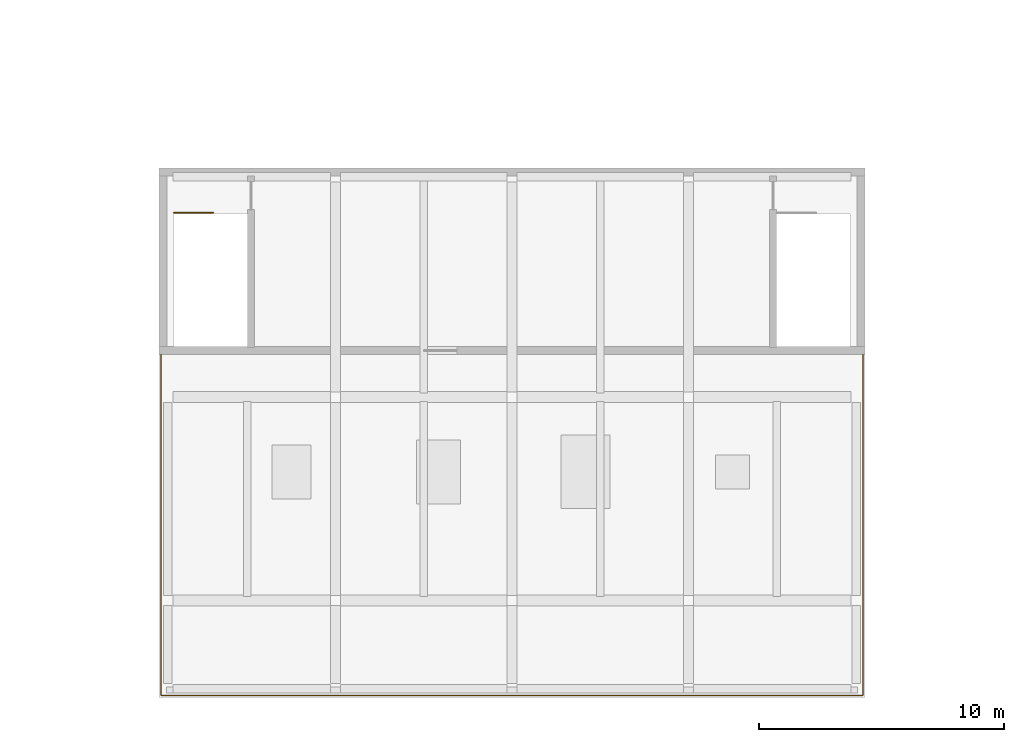
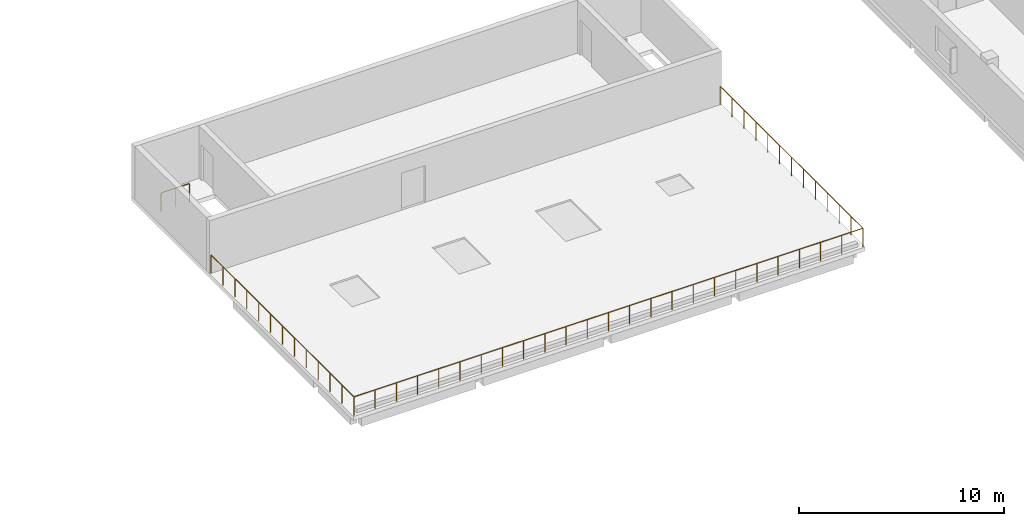
# One storey, part 46 of 56: 2 railings.
"""IFC4 building model written with IfcOpenShell, lengths in metres."""

from ifc_helpers import new_model, si_unit, derived_unit, direction, frame, origin, origin_2d, place, context, subcontext, project, spatial, circle, extrude, material, type_object, element, save


model = new_model("IFC4")

# Units and contexts
model_context = context("Model", 3, precision=1e-05, world=origin(), true_north=direction((0.0, 1.0)))
body_context = subcontext(model_context, "Body", "Model", "MODEL_VIEW")
ifc_project = project(units=[si_unit("LENGTHUNIT", "METRE"), si_unit("AREAUNIT", "SQUARE_METRE"), si_unit("VOLUMEUNIT", "CUBIC_METRE"), si_unit("PLANEANGLEUNIT", "RADIAN"), si_unit("MASSUNIT", "GRAM", prefix="KILO"), derived_unit("THERMALTRANSMITTANCEUNIT", [(si_unit("MASSUNIT", "GRAM", prefix="KILO"), 1), (si_unit("TIMEUNIT", "SECOND"), -3), (si_unit("THERMODYNAMICTEMPERATUREUNIT", "KELVIN"), -1)])], contexts=[model_context])

# Site, building, storey
site_placement = place(None, origin())
site = spatial("IfcSite", under=ifc_project, at=site_placement, CompositionType="ELEMENT")
building_placement = place(site_placement, origin())
building = spatial("IfcBuilding", under=site, at=building_placement, Name="Ochrekiln Boulevard Commons", CompositionType="ELEMENT")
storey_placement = place(building_placement, frame((0.0, 0.0, 12.074951171875)))
storey = spatial("IfcBuildingStorey", under=building, at=storey_placement, Name="L03", CompositionType="ELEMENT", Elevation=12.074951171875)

# Railings
ifc_material_1 = material(Name="Bronze-anodized extruded aluminium 6063-T6", Category="aluminium")
railing_type_1 = type_object("IfcRailingType", Name="RLG-BAL-1120", PredefinedType="BALUSTRADE", material=ifc_material_1)
railing_1_placement = place(storey_placement, frame((108.080078125, 14.0, 0.0)))
element("IfcRailing", 1, at=railing_1_placement, inside=storey, type_object=railing_type_1, Name="East Boulevard Arcade L03 Roof Terrace Perimeter Balustrade", PredefinedType="BALUSTRADE", context=body_context, shape_type="SweptSolid", body=[
    extrude(circle(Radius=0.02392578125, at=origin_2d()), frame((0.0, 0.0, 1.09619140625), z_axis=(0.0, -1.0, 0.0), x_axis=(1.0, 0.0, 0.0)), (0.0, 0.0, 1.0), 13.919921875),
    extrude(circle(Radius=0.02392578125, at=origin_2d()), frame((0.0, -13.919921875, 1.09619140625), z_axis=(1.0, 0.0, 0.0), x_axis=(0.0, 1.0, 0.0)), (0.0, 0.0, 1.0), 28.639892578125),
    extrude(circle(Radius=0.02392578125, at=origin_2d()), frame((28.639892578125, -13.919921875, 1.09619140625), z_axis=(0.0, 1.0, 0.0), x_axis=(-1.0, 0.0, 0.0)), (0.0, 0.0, 1.0), 13.919921875),
    extrude(circle(Radius=0.02099609375, at=origin_2d()), origin(), (0.0, 0.0, 1.0), 1.072021484375),
    extrude(circle(Radius=0.02099609375, at=origin_2d()), frame((0.0, -1.159912109375, 0.0)), (0.0, 0.0, 1.0), 1.072021484375),
    extrude(circle(Radius=0.02099609375, at=origin_2d()), frame((0.0, -2.320068359375, 0.0)), (0.0, 0.0, 1.0), 1.072021484375),
    extrude(circle(Radius=0.02099609375, at=origin_2d()), frame((0.0, -3.47998046875, 0.0)), (0.0, 0.0, 1.0), 1.072021484375),
    extrude(circle(Radius=0.02099609375, at=origin_2d()), frame((0.0, -4.639892578125, 0.0)), (0.0, 0.0, 1.0), 1.072021484375),
    extrude(circle(Radius=0.02099609375, at=origin_2d()), frame((0.0, -5.800048828125, 0.0)), (0.0, 0.0, 1.0), 1.072021484375),
    extrude(circle(Radius=0.02099609375, at=origin_2d()), frame((0.0, -6.9599609375, 0.0)), (0.0, 0.0, 1.0), 1.072021484375),
    extrude(circle(Radius=0.02099609375, at=origin_2d()), frame((0.0, -8.119873046875, 0.0)), (0.0, 0.0, 1.0), 1.072021484375),
    extrude(circle(Radius=0.02099609375, at=origin_2d()), frame((0.0, -9.280029296875, 0.0)), (0.0, 0.0, 1.0), 1.072021484375),
    extrude(circle(Radius=0.02099609375, at=origin_2d()), frame((0.0, -10.43994140625, 0.0)), (0.0, 0.0, 1.0), 1.072021484375),
    extrude(circle(Radius=0.02099609375, at=origin_2d()), frame((0.0, -11.599853515625, 0.0)), (0.0, 0.0, 1.0), 1.072021484375),
    extrude(circle(Radius=0.02099609375, at=origin_2d()), frame((0.0, -12.760009765625, 0.0)), (0.0, 0.0, 1.0), 1.072021484375),
    extrude(circle(Radius=0.02099609375, at=origin_2d()), frame((0.0, -13.919921875, 0.0)), (0.0, 0.0, 1.0), 1.072021484375),
    extrude(circle(Radius=0.02099609375, at=origin_2d()), frame((1.193359375, -13.919921875, 0.0)), (0.0, 0.0, 1.0), 1.072021484375),
    extrude(circle(Radius=0.02099609375, at=origin_2d()), frame((2.38671875, -13.919921875, 0.0)), (0.0, 0.0, 1.0), 1.072021484375),
    extrude(circle(Radius=0.02099609375, at=origin_2d()), frame((3.580078125, -13.919921875, 0.0)), (0.0, 0.0, 1.0), 1.072021484375),
    extrude(circle(Radius=0.02099609375, at=origin_2d()), frame((4.7734375, -13.919921875, 0.0)), (0.0, 0.0, 1.0), 1.072021484375),
    extrude(circle(Radius=0.02099609375, at=origin_2d()), frame((5.966552734375, -13.919921875, 0.0)), (0.0, 0.0, 1.0), 1.072021484375),
    extrude(circle(Radius=0.02099609375, at=origin_2d()), frame((7.159912109375, -13.919921875, 0.0)), (0.0, 0.0, 1.0), 1.072021484375),
    extrude(circle(Radius=0.02099609375, at=origin_2d()), frame((8.353271484375, -13.919921875, 0.0)), (0.0, 0.0, 1.0), 1.072021484375),
    extrude(circle(Radius=0.02099609375, at=origin_2d()), frame((9.546630859375, -13.919921875, 0.0)), (0.0, 0.0, 1.0), 1.072021484375),
    extrude(circle(Radius=0.02099609375, at=origin_2d()), frame((10.739990234375, -13.919921875, 0.0)), (0.0, 0.0, 1.0), 1.072021484375),
    extrude(circle(Radius=0.02099609375, at=origin_2d()), frame((11.933349609375, -13.919921875, 0.0)), (0.0, 0.0, 1.0), 1.072021484375),
    extrude(circle(Radius=0.02099609375, at=origin_2d()), frame((13.126708984375, -13.919921875, 0.0)), (0.0, 0.0, 1.0), 1.072021484375),
    extrude(circle(Radius=0.02099609375, at=origin_2d()), frame((14.31982421875, -13.919921875, 0.0)), (0.0, 0.0, 1.0), 1.072021484375),
    extrude(circle(Radius=0.02099609375, at=origin_2d()), frame((15.51318359375, -13.919921875, 0.0)), (0.0, 0.0, 1.0), 1.072021484375),
    extrude(circle(Radius=0.02099609375, at=origin_2d()), frame((16.70654296875, -13.919921875, 0.0)), (0.0, 0.0, 1.0), 1.072021484375),
    extrude(circle(Radius=0.02099609375, at=origin_2d()), frame((17.89990234375, -13.919921875, 0.0)), (0.0, 0.0, 1.0), 1.072021484375),
    extrude(circle(Radius=0.02099609375, at=origin_2d()), frame((19.09326171875, -13.919921875, 0.0)), (0.0, 0.0, 1.0), 1.072021484375),
    extrude(circle(Radius=0.02099609375, at=origin_2d()), frame((20.28662109375, -13.919921875, 0.0)), (0.0, 0.0, 1.0), 1.072021484375),
    extrude(circle(Radius=0.02099609375, at=origin_2d()), frame((21.47998046875, -13.919921875, 0.0)), (0.0, 0.0, 1.0), 1.072021484375),
    extrude(circle(Radius=0.02099609375, at=origin_2d()), frame((22.67333984375, -13.919921875, 0.0)), (0.0, 0.0, 1.0), 1.072021484375),
    extrude(circle(Radius=0.02099609375, at=origin_2d()), frame((23.86669921875, -13.919921875, 0.0)), (0.0, 0.0, 1.0), 1.072021484375),
    extrude(circle(Radius=0.02099609375, at=origin_2d()), frame((25.059814453125, -13.919921875, 0.0)), (0.0, 0.0, 1.0), 1.072021484375),
    extrude(circle(Radius=0.02099609375, at=origin_2d()), frame((26.253173828125, -13.919921875, 0.0)), (0.0, 0.0, 1.0), 1.072021484375),
    extrude(circle(Radius=0.02099609375, at=origin_2d()), frame((27.446533203125, -13.919921875, 0.0)), (0.0, 0.0, 1.0), 1.072021484375),
    extrude(circle(Radius=0.02099609375, at=origin_2d()), frame((28.639892578125, -13.919921875, 0.0)), (0.0, 0.0, 1.0), 1.072021484375),
    extrude(circle(Radius=0.02099609375, at=origin_2d()), frame((28.639892578125, -12.760009765625, 0.0)), (0.0, 0.0, 1.0), 1.072021484375),
    extrude(circle(Radius=0.02099609375, at=origin_2d()), frame((28.639892578125, -11.599853515625, 0.0)), (0.0, 0.0, 1.0), 1.072021484375),
    extrude(circle(Radius=0.02099609375, at=origin_2d()), frame((28.639892578125, -10.43994140625, 0.0)), (0.0, 0.0, 1.0), 1.072021484375),
    extrude(circle(Radius=0.02099609375, at=origin_2d()), frame((28.639892578125, -9.280029296875, 0.0)), (0.0, 0.0, 1.0), 1.072021484375),
    extrude(circle(Radius=0.02099609375, at=origin_2d()), frame((28.639892578125, -8.119873046875, 0.0)), (0.0, 0.0, 1.0), 1.072021484375),
    extrude(circle(Radius=0.02099609375, at=origin_2d()), frame((28.639892578125, -6.9599609375, 0.0)), (0.0, 0.0, 1.0), 1.072021484375),
    extrude(circle(Radius=0.02099609375, at=origin_2d()), frame((28.639892578125, -5.800048828125, 0.0)), (0.0, 0.0, 1.0), 1.072021484375),
    extrude(circle(Radius=0.02099609375, at=origin_2d()), frame((28.639892578125, -4.639892578125, 0.0)), (0.0, 0.0, 1.0), 1.072021484375),
    extrude(circle(Radius=0.02099609375, at=origin_2d()), frame((28.639892578125, -3.47998046875, 0.0)), (0.0, 0.0, 1.0), 1.072021484375),
    extrude(circle(Radius=0.02099609375, at=origin_2d()), frame((28.639892578125, -2.320068359375, 0.0)), (0.0, 0.0, 1.0), 1.072021484375),
    extrude(circle(Radius=0.02099609375, at=origin_2d()), frame((28.639892578125, -1.159912109375, 0.0)), (0.0, 0.0, 1.0), 1.072021484375),
    extrude(circle(Radius=0.02099609375, at=origin_2d()), frame((28.639892578125, 0.0, 0.0)), (0.0, 0.0, 1.0), 1.072021484375),
])
ifc_material_2 = material(Name="Brushed stainless steel 316 tubular railing", Category="steel")
railing_type_2 = type_object("IfcRailingType", Name="RLG-STR-1120", PredefinedType="BALUSTRADE", material=ifc_material_2)
railing_2_placement = place(storey_placement, frame((108.60009765625, 19.780029296875, 0.0)))
element("IfcRailing", 2, at=railing_2_placement, inside=storey, type_object=railing_type_2, Name="L03 ST-E1 top well guard 1", PredefinedType="BALUSTRADE", context=body_context, shape_type="SweptSolid", body=[
    extrude(circle(Radius=0.02392578125, at=origin_2d()), frame((0.0, 0.0, 1.09619140625), z_axis=(1.0, 0.0, 0.0), x_axis=(0.0, 1.0, 0.0)), (0.0, 0.0, 1.0), 1.599853515625),
    extrude(circle(Radius=0.02099609375, at=origin_2d()), origin(), (0.0, 0.0, 1.0), 1.072021484375),
    extrude(circle(Radius=0.02099609375, at=origin_2d()), frame((0.7998046875, 0.0, 0.0)), (0.0, 0.0, 1.0), 1.072021484375),
    extrude(circle(Radius=0.02099609375, at=origin_2d()), frame((1.599853515625, 0.0, 0.0)), (0.0, 0.0, 1.0), 1.072021484375),
])

save(model, "model.ifc")
